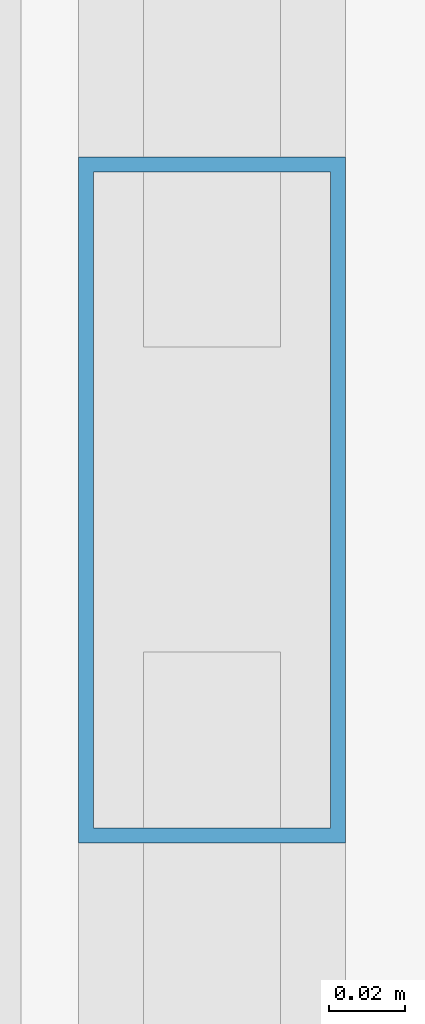
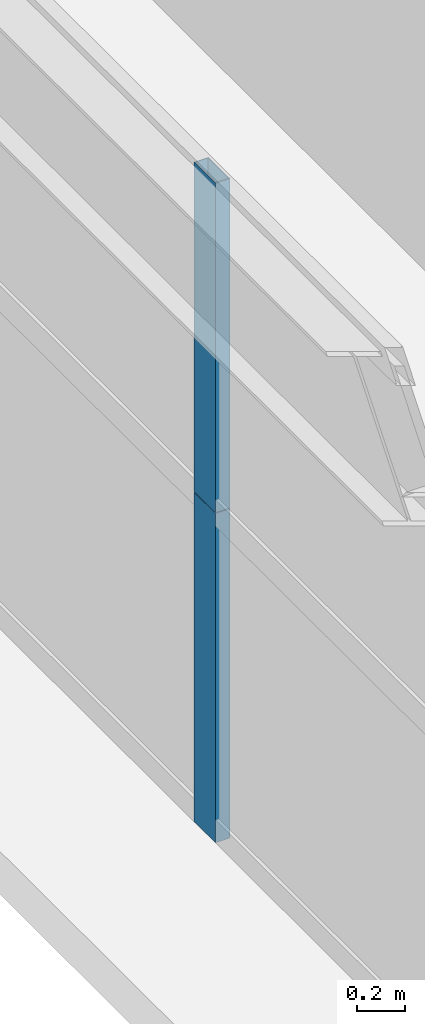
# One storey, part 20 of 38: 2 members, 1 element without a shape of its own.
"""IFC4 building model written with IfcOpenShell, lengths in metres."""

from ifc_helpers import new_model, si_unit, direction, frame, origin, origin_2d, place, context, subcontext, project, spatial, hollow_rectangle, extrude, source, transform, mapped, material, layer, layer_set, material_profile, profile_set, type_object, element, aggregate, save


model = new_model("IFC4")

# Units and contexts
model_context = context("Model", 3, precision=1e-05, world=origin(), true_north=direction((0.0, 1.0)))
body_context = subcontext(model_context, "Body", "Model", "MODEL_VIEW")
ifc_project = project(units=[si_unit("LENGTHUNIT", "METRE"), si_unit("AREAUNIT", "SQUARE_METRE"), si_unit("VOLUMEUNIT", "CUBIC_METRE"), si_unit("PLANEANGLEUNIT", "RADIAN"), si_unit("MASSUNIT", "GRAM", prefix="KILO"), si_unit("THERMODYNAMICTEMPERATUREUNIT", "KELVIN"), si_unit("POWERUNIT", "WATT")], contexts=[model_context])

# Site, building, storey
site_placement = place(None, origin())
site = spatial("IfcSite", under=ifc_project, at=site_placement, CompositionType="ELEMENT")
building_placement = place(site_placement, origin())
building = spatial("IfcBuilding", under=site, at=building_placement, Name="Yuzanri Waterfront Tower", CompositionType="ELEMENT")
storey_placement = place(building_placement, frame((0.0, 0.0, 119.0)))
storey = spatial("IfcBuildingStorey", under=building, at=storey_placement, Name="L31", CompositionType="ELEMENT", Elevation=119.0)

# Curtain wall, members
ifc_material_1 = material(Name="Anodized Architectural Bronze", Category="metal")
ifc_layer = layer(ifc_material_1, 0.159912109375)
ifc_layer_set = layer_set([ifc_layer], Name="Anodized Architectural Bronze")
curtain_wall_type = type_object("IfcCurtainWallType", Name="Anodized Bronze Hotel Upper-Tier Solar-Control Unitized Curtain Wall 7800", PredefinedType="NOTDEFINED", material=ifc_layer_set)
curtain_wall_placement = place(storey_placement, origin())
curtain_wall = element("IfcCurtainWall", 1, at=curtain_wall_placement, inside=storey, type_object=curtain_wall_type, Name="L31 Curtain Wall CW-L31-WR", PredefinedType="NOTDEFINED")
ifc_material_2 = material(Name="Anodized Architectural Bronze", Category="metal")
ifc_material_profile = material_profile(ifc_material_2, hollow_rectangle(XDim=0.070068359375, YDim=0.179931640625, WallThickness=0.00390625, at=origin_2d()), Name="CWM 70x180")
ifc_profile_set = profile_set([ifc_material_profile], Name="Anodized Architectural Bronze")
member_type = type_object("IfcMemberType", Name="Anodized Bronze Standard Curtain-Wall Mullion 70x180", PredefinedType="MULLION", material=ifc_profile_set)
shared_shape = source(origin(), body_context, "Body", "SweptSolid", [
    extrude(hollow_rectangle(XDim=0.070068359375, YDim=0.179931640625, WallThickness=0.00390625, at=origin_2d()), origin(), (0.0, 0.0, 1.0), 1.68798828125),
])
member_1_placement = place(storey_placement, frame((13.550048828125, 34.14990234375, 0.0), z_axis=(0.0, 0.0, 1.0), x_axis=(1.0, 0.0, 0.0)))
member_1 = element("IfcMember", 2, at=member_1_placement, type_object=member_type, Name="CW-L31-WR Lower Mullion 01", PredefinedType="MULLION", context=body_context, shape_type="MappedRepresentation", body=[
    mapped(shared_shape, transform((0.0, 0.0, 0.0), scale=1.0)),
])
member_2_placement = place(storey_placement, frame((13.550048828125, 34.14990234375, 1.69189453125), z_axis=(0.0, 0.0, 1.0), x_axis=(1.0, 0.0, 0.0)))
member_2 = element("IfcMember", 3, at=member_2_placement, type_object=member_type, Name="CW-L31-WR Upper Mullion 01", PredefinedType="MULLION", context=body_context, shape_type="MappedRepresentation", body=[
    mapped(shared_shape, transform((0.0, 0.0, 0.0), scale=1.0)),
])
aggregate(curtain_wall, [member_1, member_2])

save(model, "model.ifc")
